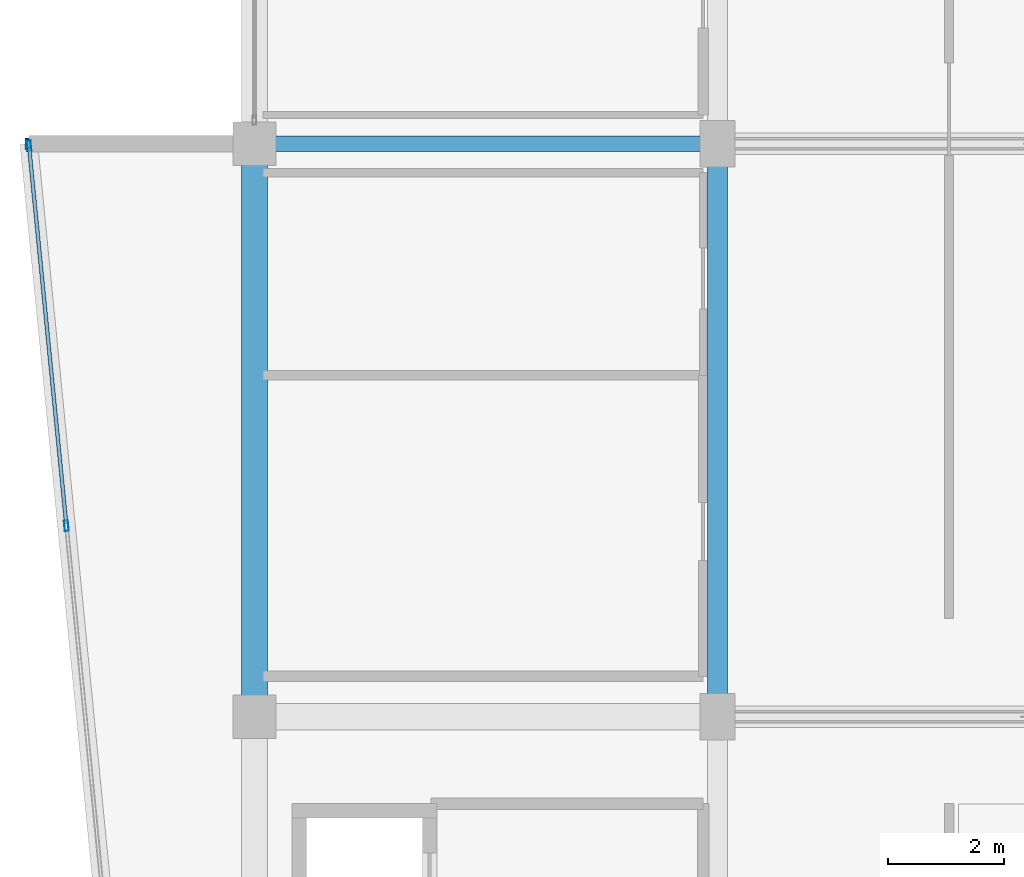
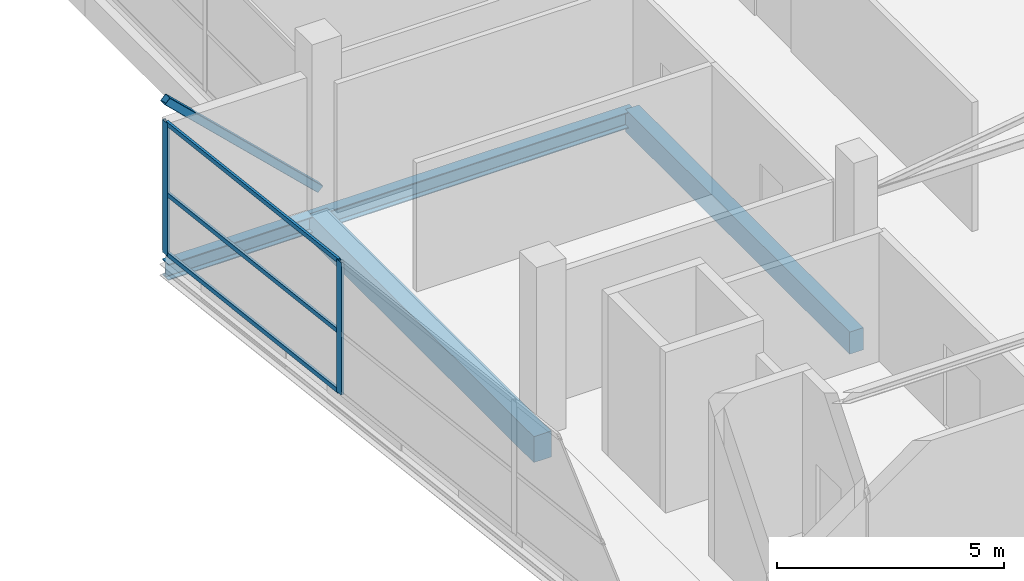
# One storey, part 13 of 49: 6 members, 3 beams, 1 element without a shape of its own.
"""IFC4 building model written with IfcOpenShell, lengths in metres."""

from ifc_helpers import new_model, si_unit, direction, frame, origin, origin_2d, place, context, subcontext, project, spatial, rectangle, hollow_rectangle, i_section, extrude, material, layer, layer_set, material_profile, profile_set, type_object, element, aggregate, save


model = new_model("IFC4")

# Units and contexts
model_context = context("Model", 3, precision=1e-05, world=origin(), true_north=direction((0.0, 1.0)))
body_context = subcontext(model_context, "Body", "Model", "MODEL_VIEW")
ifc_project = project(units=[si_unit("LENGTHUNIT", "METRE"), si_unit("AREAUNIT", "SQUARE_METRE"), si_unit("VOLUMEUNIT", "CUBIC_METRE"), si_unit("PLANEANGLEUNIT", "RADIAN"), si_unit("MASSUNIT", "GRAM", prefix="KILO")], contexts=[model_context])

# Site, building, storey
site_placement = place(None, origin())
site = spatial("IfcSite", under=ifc_project, at=site_placement, CompositionType="ELEMENT")
building_placement = place(site_placement, origin())
building = spatial("IfcBuilding", under=site, at=building_placement, Name="Sillaruma Civic Art Gallery", CompositionType="ELEMENT")
storey_placement = place(building_placement, frame((0.0, 0.0, 33.14990234375)))
storey = spatial("IfcBuildingStorey", under=building, at=storey_placement, Name="L06", CompositionType="ELEMENT", Elevation=33.14990234375)

# Beams
ifc_material_1 = material(Name="Concrete H35 (35 MPa)", Category="concrete")
ifc_material_profile_1 = material_profile(ifc_material_1, rectangle(XDim=0.35009765625, YDim=0.60009765625, at=origin_2d()), Name="RCB350x600")
ifc_profile_set_1 = profile_set([ifc_material_profile_1], Name="Concrete H35 (35 MPa)")
beam_type_1 = type_object("IfcBeamType", Name="BM-BEAM-RCB350x600", PredefinedType="BEAM", material=ifc_profile_set_1)
beam_1_placement = place(storey_placement, frame((70.0, 49.5, -0.539794921875), z_axis=(0.0, 1.0, 0.0), x_axis=(-1.0, 0.0, 0.0)))
element("IfcBeam", 1, at=beam_1_placement, inside=storey, type_object=beam_type_1, Name="Beam BM-06 (L05:G:6-7)", PredefinedType="BEAM", context=body_context, shape_type="SweptSolid", body=[
    extrude(rectangle(XDim=0.35009765625, YDim=0.60009765625, at=origin_2d()), origin(), (0.0, 0.0, 1.0), 9.89990234375),
])
ifc_material_2 = material(Name="Structural Steel ASTM A992 Gr.50", Category="steel")
ifc_material_profile_2 = material_profile(ifc_material_2, i_section(OverallWidth=0.264892578125, OverallDepth=0.430908203125, WebThickness=0.014892578125, FlangeThickness=0.02490234375, FilletRadius=0.012939453125, at=origin_2d()), Name="W410x149")
ifc_profile_set_2 = profile_set([ifc_material_profile_2], Name="Structural Steel ASTM A992 Gr.50")
beam_type_2 = type_object("IfcBeamType", Name="BM-PROW-W410x149", PredefinedType="BEAM", material=ifc_profile_set_2)
beam_2_placement = place(storey_placement, frame((70.0, 59.39990234375, -0.455322265625), z_axis=(-1.0, 0.0, 0.0), x_axis=(0.0, -1.0, 0.0)))
element("IfcBeam", 2, at=beam_2_placement, inside=storey, type_object=beam_type_2, Name="Back-Spanned Prow Beam (PRW-L06-W-FLR-N)", PredefinedType="BEAM", context=body_context, shape_type="SweptSolid", body=[
    extrude(i_section(OverallWidth=0.264892578125, OverallDepth=0.430908203125, WebThickness=0.014892578125, FlangeThickness=0.02490234375, FilletRadius=0.012939453125, at=origin_2d()), origin(), (0.0, 0.0, 1.0), 11.89990234375),
])
ifc_material_profile_3 = material_profile(ifc_material_1, rectangle(XDim=0.449951171875, YDim=0.699951171875, at=origin_2d()), Name="RCB450x700")
ifc_profile_set_3 = profile_set([ifc_material_profile_3], Name="Concrete H35 (35 MPa)")
beam_type_3 = type_object("IfcBeamType", Name="BM-SPANDREL-RCB450x700", PredefinedType="SPANDREL", material=ifc_profile_set_3)
beam_3_placement = place(storey_placement, frame((62.0, 49.5, -0.58984375), z_axis=(0.0, 1.0, 0.0), x_axis=(-1.0, 0.0, 0.0)))
element("IfcBeam", 3, at=beam_3_placement, inside=storey, type_object=beam_type_3, Name="Beam BS-03 (L05:F:6-7)", PredefinedType="SPANDREL", context=body_context, shape_type="SweptSolid", body=[
    extrude(rectangle(XDim=0.449951171875, YDim=0.699951171875, at=origin_2d()), origin(), (0.0, 0.0, 1.0), 9.89990234375),
])

# Curtain wall, members
ifc_material_3 = material(Name="Thermally Broken Extruded Aluminium 6063-T6", Category="aluminium")
ifc_layer = layer(ifc_material_3, 0.179931640625, Name="Thermally Broken Extruded Aluminium 6063-T6")
ifc_layer_set = layer_set([ifc_layer], Name="Thermally Broken Extruded Aluminium 6063-T6")
curtain_wall_type = type_object("IfcCurtainWallType", Name="CW-UNI-41", PredefinedType="NOTDEFINED", material=ifc_layer_set)
curtain_wall_placement = place(storey_placement, origin())
curtain_wall = element("IfcCurtainWall", 4, at=curtain_wall_placement, inside=storey, type_object=curtain_wall_type, Name="Unitised Curtain Wall CW-41 (CW-PRW-L06-W-ANG)", PredefinedType="NOTDEFINED")
ifc_material_profile_4 = material_profile(ifc_material_3, hollow_rectangle(XDim=0.070068359375, YDim=0.179931640625, WallThickness=0.00390625, at=origin_2d()), Name="CWM70x180")
ifc_profile_set_4 = profile_set([ifc_material_profile_4], Name="Thermally Broken Extruded Aluminium 6063-T6")
member_type_1 = type_object("IfcMemberType", Name="MEM-MUL-CWM70x180", PredefinedType="MULLION", material=ifc_profile_set_4)
member_1_placement = place(storey_placement, frame((58.103515625, 59.365234375, 0.0), z_axis=(0.0, 0.0, 1.0), x_axis=(0.99518536297, 0.098010679679, 0.0)))
member_1 = element("IfcMember", 5, at=member_1_placement, type_object=member_type_1, Name="CW-41 mullion 1", PredefinedType="MULLION", context=body_context, shape_type="SweptSolid", body=[
    extrude(hollow_rectangle(XDim=0.070068359375, YDim=0.179931640625, WallThickness=0.00390625, at=origin_2d()), origin(), (0.0, 0.0, 1.0), 3.570068359375),
])
member_2_placement = place(storey_placement, frame((58.75, 52.800048828125, 0.0), z_axis=(0.0, 0.0, 1.0), x_axis=(0.99518536297, 0.098010679679, 0.0)))
member_2 = element("IfcMember", 6, at=member_2_placement, type_object=member_type_1, Name="CW-41 mullion 2", PredefinedType="MULLION", context=body_context, shape_type="SweptSolid", body=[
    extrude(hollow_rectangle(XDim=0.070068359375, YDim=0.179931640625, WallThickness=0.00390625, at=origin_2d()), origin(), (0.0, 0.0, 1.0), 3.570068359375),
])

# Member
ifc_material_4 = material(Name="Structural Steel ASTM A500 Gr.C", Category="steel")
ifc_material_profile_5 = material_profile(ifc_material_4, hollow_rectangle(XDim=0.199951171875, YDim=0.199951171875, WallThickness=0.010009765625, InnerFilletRadius=0.010009765625, OuterFilletRadius=0.02001953125, at=origin_2d()), Name="HSS200x200x10")
ifc_profile_set_5 = profile_set([ifc_material_profile_5], Name="Structural Steel ASTM A500 Gr.C")
member_type_2 = type_object("IfcMemberType", Name="MEM-PROW-BRACE", PredefinedType="BRACE", material=ifc_profile_set_5)
member_3_placement = place(storey_placement, frame((62.0, 59.39990234375, 0.400146484375), z_axis=(-0.722268603188, 0.0, 0.691612655212), x_axis=(0.0, -1.0, 0.0)))
element("IfcMember", 7, at=member_3_placement, inside=storey, type_object=member_type_2, Name="Deconstructivist Prow Diagonal Brace (PRW-L06-W-ROF-N)", PredefinedType="BRACE", context=body_context, shape_type="SweptSolid", body=[
    extrude(hollow_rectangle(XDim=0.199951171875, YDim=0.199951171875, WallThickness=0.010009765625, InnerFilletRadius=0.010009765625, OuterFilletRadius=0.02001953125, at=origin_2d()), origin(), (0.0, 0.0, 1.0), 5.3994140625),
])

ifc_material_profile_6 = material_profile(ifc_material_3, hollow_rectangle(XDim=0.06494140625, YDim=0.1201171875, WallThickness=0.00341796875, at=origin_2d()), Name="CWT65x120")
ifc_profile_set_6 = profile_set([ifc_material_profile_6], Name="Thermally Broken Extruded Aluminium 6063-T6")
member_type_3 = type_object("IfcMemberType", Name="MEM-TRN-CWT65x120", PredefinedType="USERDEFINED", material=ifc_profile_set_6)
member_4_placement = place(storey_placement, frame((58.10693359375, 59.330322265625, 0.03271484375), z_axis=(0.098000015132, -0.995186413208, 0.0), x_axis=(0.995186413208, 0.098000015132, 0.0)))
member_4 = element("IfcMember", 8, at=member_4_placement, type_object=member_type_3, Name="CW-41 transom 1.1", ObjectType="TRANSOM", PredefinedType="USERDEFINED", context=body_context, shape_type="SweptSolid", body=[
    extrude(hollow_rectangle(XDim=0.06494140625, YDim=0.1201171875, WallThickness=0.00341796875, at=origin_2d()), origin(), (0.0, 0.0, 1.0), 6.527099609375),
])

member_5_placement = place(storey_placement, frame((58.10693359375, 59.330322265625, 1.642333984375), z_axis=(0.098000015132, -0.995186413208, 0.0), x_axis=(0.995186413208, 0.098000015132, 0.0)))
member_5 = element("IfcMember", 9, at=member_5_placement, type_object=member_type_3, Name="CW-41 transom 1.2", ObjectType="TRANSOM", PredefinedType="USERDEFINED", context=body_context, shape_type="SweptSolid", body=[
    extrude(hollow_rectangle(XDim=0.06494140625, YDim=0.1201171875, WallThickness=0.00341796875, at=origin_2d()), origin(), (0.0, 0.0, 1.0), 6.527099609375),
])

member_6_placement = place(storey_placement, frame((58.10693359375, 59.330322265625, 3.53759765625), z_axis=(0.098000015132, -0.995186413208, 0.0), x_axis=(0.995186413208, 0.098000015132, 0.0)))
member_6 = element("IfcMember", 10, at=member_6_placement, type_object=member_type_3, Name="CW-41 transom 1.3", ObjectType="TRANSOM", PredefinedType="USERDEFINED", context=body_context, shape_type="SweptSolid", body=[
    extrude(hollow_rectangle(XDim=0.06494140625, YDim=0.1201171875, WallThickness=0.00341796875, at=origin_2d()), origin(), (0.0, 0.0, 1.0), 6.527099609375),
])

aggregate(curtain_wall, [member_1, member_2, member_4, member_5, member_6])

save(model, "model.ifc")
